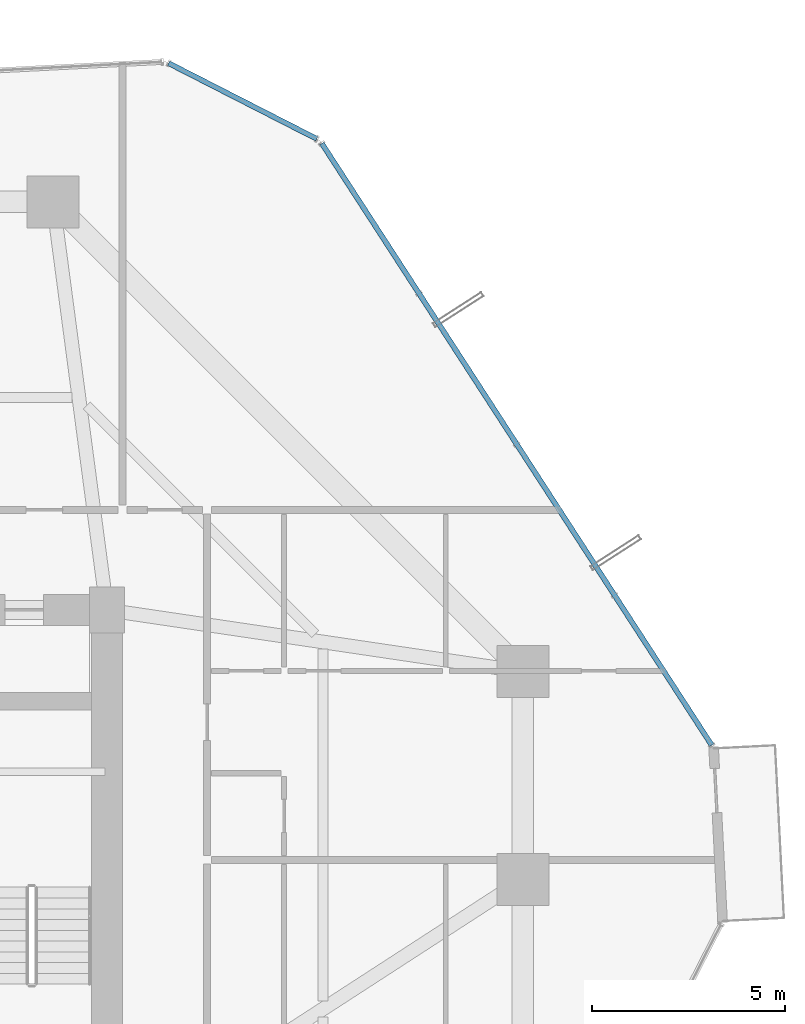
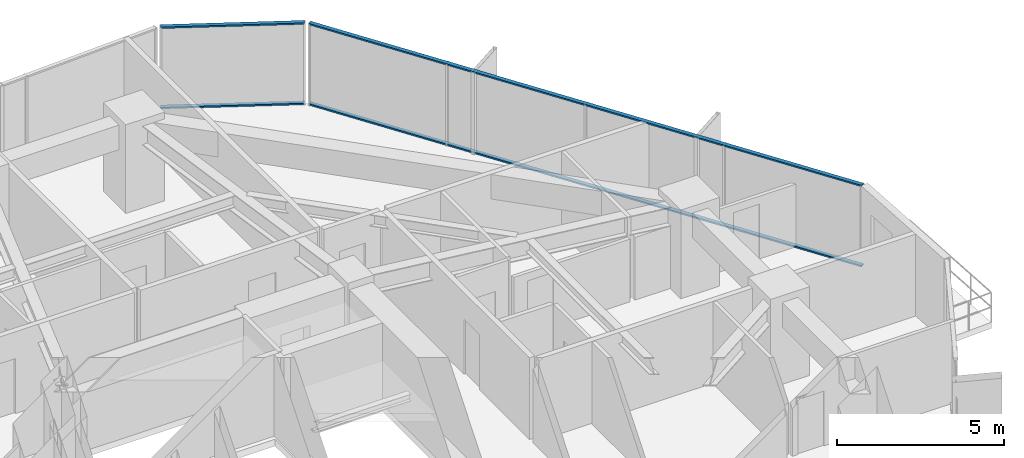
# One storey, part 30 of 37: 4 members, 2 elements without a shape of their own.
"""IFC4 building model written with IfcOpenShell, lengths in metres."""

import ifcopenshell
import ifcopenshell.guid

model = None  # the IFC model being written
_history = None  # IfcOwnerHistory: only IFC2X3 demands one
_inside = {}  # id of a spatial element -> (the spatial element, [elements in it])
_under = {}  # id of a project, library or spatial element -> (it, [spatial elements below it])
_declared = {}  # id of a project -> (the project, [libraries it declares])
_typed = {}  # id of a type object -> (the type object, [elements of that type])
_made_of = {}  # id of a material, layer set ... -> (it, [elements and type objects made of it])


def new_model(schema):
    """Start an empty IFC model of exactly this schema.

    Asked for "IFC4X3", IfcOpenShell would pick the latest addendum, in which some entities
    have other attributes; the version numbers below select the first issue.
    IFC2X3 requires an IfcOwnerHistory on every rooted entity: one is made here for all.
    """
    global model, _history
    if schema == "IFC4X3":
        model = ifcopenshell.file(schema_version=(4, 3, 0, 0))
    else:
        model = ifcopenshell.file(schema=schema)
    _inside.clear()
    _under.clear()
    _declared.clear()
    _typed.clear()
    _made_of.clear()
    _history = None
    if model.schema == "IFC2X3":
        org = make("IfcOrganization", Name="unknown")
        user = make(
            "IfcPersonAndOrganization",
            ThePerson=make("IfcPerson", FamilyName="unknown"),
            TheOrganization=org,
        )
        app = make(
            "IfcApplication",
            ApplicationDeveloper=org,
            Version="unknown",
            ApplicationFullName="unknown",
            ApplicationIdentifier="unknown",
        )
        _history = make(
            "IfcOwnerHistory",
            OwningUser=user,
            OwningApplication=app,
            ChangeAction="ADDED",
            CreationDate=0,
        )
    return model


def make(cls, **values):
    """One entity of the class cls with the attributes given. An attribute that is None is left unset."""
    return model.create_entity(
        cls, **{name: value for name, value in values.items() if value is not None}
    )


def rooted(cls, **values):
    """An entity with a GlobalId (a new one), such as an element, a storey or a relation."""
    return make(cls, GlobalId=ifcopenshell.guid.new(), OwnerHistory=_history, **values)


def si_unit(unit_type, name, prefix=None):
    """IfcSIUnit, for example si_unit("LENGTHUNIT", "METRE", prefix="MILLI")."""
    return make("IfcSIUnit", UnitType=unit_type, Prefix=prefix, Name=name)


def assignment(units):
    """IfcUnitAssignment: the units of a project."""
    return None if units is None else make("IfcUnitAssignment", Units=units)


def point(xyz):
    """IfcCartesianPoint."""
    return None if xyz is None else make("IfcCartesianPoint", Coordinates=xyz)


def direction(xyz):
    """IfcDirection."""
    return None if xyz is None else make("IfcDirection", DirectionRatios=xyz)


def frame(location, z_axis=None, x_axis=None):
    """IfcAxis2Placement3D, a coordinate frame: its origin and axes. An axis left out is left unset."""
    return make(
        "IfcAxis2Placement3D",
        Location=point(location),
        Axis=direction(z_axis),
        RefDirection=direction(x_axis),
    )


def frame_2d(location, x_axis=None):
    """IfcAxis2Placement2D, a coordinate frame in the plane: its origin and x axis."""
    return make(
        "IfcAxis2Placement2D", Location=point(location), RefDirection=direction(x_axis)
    )


def origin():
    """The frame at (0, 0, 0) with its axes left unset."""
    return frame((0.0, 0.0, 0.0))


def origin_2d():
    """The frame at (0, 0) in the plane with its x axis left unset."""
    return frame_2d((0.0, 0.0))


def place(relative_to, where):
    """IfcLocalPlacement: puts the frame where relative to a parent placement (None: the world)."""
    return make(
        "IfcLocalPlacement", PlacementRelTo=relative_to, RelativePlacement=where
    )


def context(
    kind, dimensions, precision=None, world=None, true_north=None, identifier=None
):
    """IfcGeometricRepresentationContext, for example the 3D "Model" context."""
    return make(
        "IfcGeometricRepresentationContext",
        ContextIdentifier=identifier,
        ContextType=kind,
        CoordinateSpaceDimension=dimensions,
        Precision=precision,
        WorldCoordinateSystem=world,
        TrueNorth=true_north,
    )


def subcontext(parent, identifier, kind, view, scale=None):
    """IfcGeometricRepresentationSubContext, for example "Body" below "Model"."""
    return make(
        "IfcGeometricRepresentationSubContext",
        ContextIdentifier=identifier,
        ContextType=kind,
        ParentContext=parent,
        TargetScale=scale,
        TargetView=view,
    )


def project(units=None, contexts=None):
    """IfcProject with its units and contexts."""
    return rooted(
        "IfcProject",
        Name="project",
        RepresentationContexts=contexts,
        UnitsInContext=assignment(units),
    )


def spatial(cls, under=None, at=None, **own):
    """A site, building, storey or space (cls), placed at a placement, below another one or the project."""
    s = rooted(cls, ObjectPlacement=at, **own)
    if under is not None:
        _under.setdefault(under.id(), (under, []))[1].append(s)
    return s


def profile(cls, at=None, kind="AREA", **sizes):
    """A parametric profile (cls). Its sizes go by their IFC names, for example OverallWidth=200.0."""
    return make(cls, ProfileType=kind, Position=at, **sizes)


def hollow_rectangle(**sizes):
    """IfcRectangleHollowProfileDef."""
    return profile("IfcRectangleHollowProfileDef", **sizes)


def extrude(swept, where, along, depth):
    """IfcExtrudedAreaSolid: the profile swept, set in the frame where, extruded along a direction by depth."""
    return make(
        "IfcExtrudedAreaSolid",
        SweptArea=swept,
        Position=where,
        ExtrudedDirection=direction(along),
        Depth=depth,
    )


def shape(context_of_items, identifier, shape_type, items):
    """IfcShapeRepresentation: the items that make up one representation, for example the "Body"."""
    return make(
        "IfcShapeRepresentation",
        ContextOfItems=context_of_items,
        RepresentationIdentifier=identifier,
        RepresentationType=shape_type,
        Items=items,
    )


def source(mapping_origin, context_of_items, identifier, shape_type, items):
    """IfcRepresentationMap: a shape defined once, which mapped items show again and again."""
    return make(
        "IfcRepresentationMap",
        MappingOrigin=mapping_origin,
        MappedRepresentation=shape(context_of_items, identifier, shape_type, items),
    )


def transform(
    local_origin,
    x_axis=None,
    y_axis=None,
    z_axis=None,
    scale=None,
    scale2=None,
    scale3=None,
    uniform=True,
):
    """IfcCartesianTransformationOperator3D, or its non-uniform kind. x_axis, y_axis, z_axis: its Axis1, 2, 3."""
    if uniform:
        return make(
            "IfcCartesianTransformationOperator3D",
            Axis1=direction(x_axis),
            Axis2=direction(y_axis),
            LocalOrigin=point(local_origin),
            Scale=scale,
            Axis3=direction(z_axis),
        )
    return make(
        "IfcCartesianTransformationOperator3DnonUniform",
        Axis1=direction(x_axis),
        Axis2=direction(y_axis),
        LocalOrigin=point(local_origin),
        Scale=scale,
        Axis3=direction(z_axis),
        Scale2=scale2,
        Scale3=scale3,
    )


def mapped(mapping_source, mapping_target):
    """IfcMappedItem: shows the shape of a source again, moved by a transform."""
    return make(
        "IfcMappedItem", MappingSource=mapping_source, MappingTarget=mapping_target
    )


def material(Name=None, Category=None):
    """IfcMaterial."""
    return make("IfcMaterial", Name=Name, Category=Category)


def layer(
    of_material, thickness, ventilated=None, Name=None, Category=None, Priority=None
):
    """IfcMaterialLayer: one layer of a wall or slab, of a material (None: an air gap)."""
    return make(
        "IfcMaterialLayer",
        Material=of_material,
        LayerThickness=thickness,
        IsVentilated=ventilated,
        Name=Name,
        Category=Category,
        Priority=Priority,
    )


def layer_set(layers, Name=None):
    """IfcMaterialLayerSet."""
    return make("IfcMaterialLayerSet", MaterialLayers=layers, LayerSetName=Name)


def material_profile(
    of_material, cross_section, Name=None, Category=None, Priority=None
):
    """IfcMaterialProfile: a cross section and its material."""
    return make(
        "IfcMaterialProfile",
        Name=Name,
        Material=of_material,
        Profile=cross_section,
        Priority=Priority,
        Category=Category,
    )


def profile_set(profiles, Name=None, composite=None):
    """IfcMaterialProfileSet."""
    return make(
        "IfcMaterialProfileSet",
        Name=Name,
        MaterialProfiles=profiles,
        CompositeProfile=composite,
    )


def made_of(thing, what):
    """Note that an element or type object is made of a material, layer set ...; save() writes the relation."""
    if what is not None:
        _made_of.setdefault(what.id(), (what, []))[1].append(thing)
    return thing


def type_object(cls, material=None, **own):
    """A type object (cls), such as IfcWallType, which elements share."""
    return made_of(rooted(cls, **own), material)


def element(
    cls,
    number,
    at=None,
    inside=None,
    cuts=None,
    type_object=None,
    material=None,
    context=None,
    identifier="Body",
    shape_type=None,
    held_by="IfcProductDefinitionShape",
    body=None,
    shapes=None,
    **own,
):
    """One element of the class cls, such as IfcWall. Its Tag is "e" and its number.

    at: its placement. inside: the storey or other place that contains it. cuts: it is an
    opening in that element (IfcRelVoidsElement). A single representation is given by context,
    identifier, shape_type and body (its items); several are given by shapes. held_by: the class
    of the entity that holds the representations. save() writes the other relations.
    """
    e = rooted(cls, Tag="e%d" % number, ObjectPlacement=at, **own)
    if body is not None:
        shapes = [shape(context, identifier, shape_type, body)]
    if shapes is not None:
        e.Representation = make(held_by, Representations=shapes)
    if inside is not None:
        _inside.setdefault(inside.id(), (inside, []))[1].append(e)
    if cuts is not None:
        rooted(
            "IfcRelVoidsElement", RelatingBuildingElement=cuts, RelatedOpeningElement=e
        )
    if type_object is not None:
        _typed.setdefault(type_object.id(), (type_object, []))[1].append(e)
    return made_of(e, material)


def aggregate(whole, parts):
    """IfcRelAggregates: a whole, such as a stair, and the parts it consists of."""
    return rooted("IfcRelAggregates", RelatingObject=whole, RelatedObjects=parts)


def save(model, path):
    """Write the relations noted so far, then the file.

    IfcRelAggregates (storeys below a building ...), IfcRelContainedInSpatialStructure (elements
    in a storey), IfcRelDefinesByType, IfcRelAssociatesMaterial and IfcRelDeclares: one each for
    every whole, place, type object, material and project.
    """
    for whole, parts in _under.values():
        aggregate(whole, parts)
    for where, things in _inside.values():
        rooted(
            "IfcRelContainedInSpatialStructure",
            RelatedElements=things,
            RelatingStructure=where,
        )
    for kind, things in _typed.values():
        rooted("IfcRelDefinesByType", RelatedObjects=things, RelatingType=kind)
    for what, things in _made_of.values():
        rooted("IfcRelAssociatesMaterial", RelatedObjects=things, RelatingMaterial=what)
    for by, libraries in _declared.values():
        rooted("IfcRelDeclares", RelatingContext=by, RelatedDefinitions=libraries)
    model.write(path)


model = new_model("IFC4")

# Units and contexts
model_context = context("Model", 3, precision=1e-05, world=origin(), true_north=direction((0.0, 1.0)))
body_context = subcontext(model_context, "Body", "Model", "MODEL_VIEW")
ifc_project = project(units=[si_unit("LENGTHUNIT", "METRE"), si_unit("AREAUNIT", "SQUARE_METRE"), si_unit("VOLUMEUNIT", "CUBIC_METRE"), si_unit("PLANEANGLEUNIT", "RADIAN"), si_unit("MASSUNIT", "GRAM", prefix="KILO")], contexts=[model_context])

# Site, building, storey
site_placement = place(None, origin())
site = spatial("IfcSite", under=ifc_project, at=site_placement, CompositionType="ELEMENT")
building_placement = place(site_placement, origin())
building = spatial("IfcBuilding", under=site, at=building_placement, Name="Veraguas Prism Commons", CompositionType="ELEMENT")
storey_placement = place(building_placement, frame((0.0, 0.0, 33.800048828125)))
storey = spatial("IfcBuildingStorey", under=building, at=storey_placement, Name="L08", CompositionType="ELEMENT", Elevation=33.800048828125)

# Curtain wall, members
ifc_material = material(Name="Anodised aluminium EN AW-6063 T6", Category="aluminium")
ifc_layer = layer(ifc_material, 0.169921875, Name="Unitised Flush Curtain Wall Zone 1", Category="aluminium")
ifc_layer_set = layer_set([ifc_layer], Name="Anodised aluminium EN AW-6063 T6")
curtain_wall_type = type_object("IfcCurtainWallType", Name="Unitised Flush Curtain Wall Zone 1", PredefinedType="NOTDEFINED", material=ifc_layer_set)
curtain_wall_1_placement = place(storey_placement, origin())
curtain_wall_1 = element("IfcCurtainWall", 1, at=curtain_wall_1_placement, inside=storey, type_object=curtain_wall_type, Name="Tower Facade Curtain Wall L08-F1", PredefinedType="NOTDEFINED")
ifc_material_profile = material_profile(ifc_material, hollow_rectangle(XDim=0.054931640625, YDim=0.135009765625, WallThickness=0.0029296875, at=origin_2d()), Name="AL55X135X3")
ifc_profile_set = profile_set([ifc_material_profile], Name="Anodised aluminium EN AW-6063 T6")
member_type = type_object("IfcMemberType", Name="Curtain Wall Transom Standard AL 55x135x3", PredefinedType="USERDEFINED", material=ifc_profile_set)
shared_shape_1 = source(origin(), body_context, "Body", "SweptSolid", [
    extrude(hollow_rectangle(XDim=0.054931640625, YDim=0.135009765625, WallThickness=0.0029296875, at=origin_2d()), origin(), (0.0, 0.0, 1.0), 18.623779296875),
])
member_1_placement = place(storey_placement, frame((46.5068359375, 27.487060546875, 0.02734375), z_axis=(-0.543768091879, 0.839235522517, 0.0), x_axis=(0.0, 0.0, 1.0)))
member_1 = element("IfcMember", 2, at=member_1_placement, type_object=member_type, Name="CW-Z1 Transom 1", ObjectType="TRANSOM", PredefinedType="USERDEFINED", context=body_context, shape_type="MappedRepresentation", body=[
    mapped(shared_shape_1, transform((0.0, 0.0, 0.0), scale=1.0)),
])
member_2_placement = place(storey_placement, frame((46.5068359375, 27.487060546875, 2.972412109375), z_axis=(-0.543768091879, 0.839235522517, 0.0), x_axis=(0.0, 0.0, 1.0)))
member_2 = element("IfcMember", 3, at=member_2_placement, type_object=member_type, Name="CW-Z1 Transom 2", ObjectType="TRANSOM", PredefinedType="USERDEFINED", context=body_context, shape_type="MappedRepresentation", body=[
    mapped(shared_shape_1, transform((0.0, 0.0, 0.0), scale=1.0)),
])
aggregate(curtain_wall_1, [member_1, member_2])

curtain_wall_2_placement = place(storey_placement, origin())
curtain_wall_2 = element("IfcCurtainWall", 4, at=curtain_wall_2_placement, inside=storey, type_object=curtain_wall_type, Name="Chamfer Curtain Wall L08-C2", PredefinedType="NOTDEFINED")
shared_shape_2 = source(origin(), body_context, "Body", "SweptSolid", [
    extrude(hollow_rectangle(XDim=0.054931640625, YDim=0.135009765625, WallThickness=0.0029296875, at=origin_2d()), origin(), (0.0, 0.0, 1.0), 4.320068359375),
])
member_3_placement = place(storey_placement, frame((36.250732421875, 43.233154296875, 0.02734375), z_axis=(-0.890528305502, 0.454927837244, 0.0), x_axis=(0.0, 0.0, 1.0)))
member_3 = element("IfcMember", 5, at=member_3_placement, type_object=member_type, Name="CW-Z1 Transom 1", ObjectType="TRANSOM", PredefinedType="USERDEFINED", context=body_context, shape_type="MappedRepresentation", body=[
    mapped(shared_shape_2, transform((0.0, 0.0, 0.0), scale=1.0)),
])
member_4_placement = place(storey_placement, frame((36.250732421875, 43.233154296875, 2.972412109375), z_axis=(-0.890528305502, 0.454927837244, 0.0), x_axis=(0.0, 0.0, 1.0)))
member_4 = element("IfcMember", 6, at=member_4_placement, type_object=member_type, Name="CW-Z1 Transom 2", ObjectType="TRANSOM", PredefinedType="USERDEFINED", context=body_context, shape_type="MappedRepresentation", body=[
    mapped(shared_shape_2, transform((0.0, 0.0, 0.0), scale=1.0)),
])
aggregate(curtain_wall_2, [member_3, member_4])

save(model, "model.ifc")
